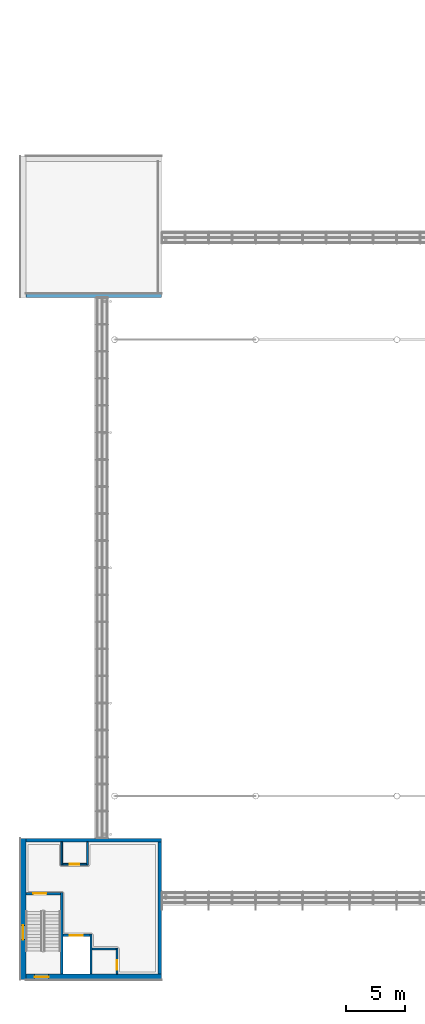
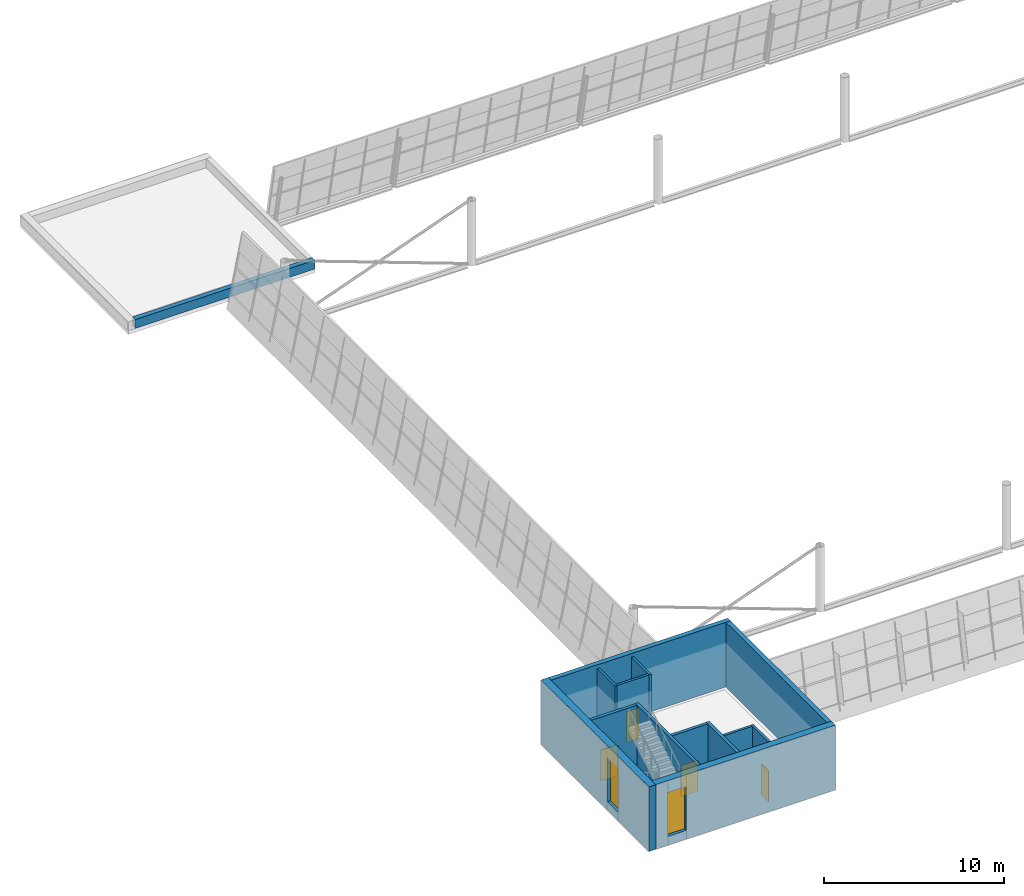
# One storey, part 29 of 50: 14 walls, 4 doors, 2 windows, 6 openings.
"""IFC4 building model written with IfcOpenShell, lengths in metres."""

from ifc_helpers import new_model, si_unit, direction, frame, frame_2d, origin, place, context, subcontext, project, spatial, rectangle, extrude, material, layer, layer_set, type_object, element, fill, save


model = new_model("IFC4")

# Units and contexts
model_context = context("Model", 3, precision=1e-05, world=origin(), true_north=direction((0.0, 1.0)))
body_context = subcontext(model_context, "Body", "Model", "MODEL_VIEW")
ifc_project = project(units=[si_unit("LENGTHUNIT", "METRE"), si_unit("AREAUNIT", "SQUARE_METRE"), si_unit("VOLUMEUNIT", "CUBIC_METRE"), si_unit("PLANEANGLEUNIT", "RADIAN"), si_unit("MASSUNIT", "GRAM", prefix="KILO")], contexts=[model_context])

# Site, building, storey
site_placement = place(None, origin())
site = spatial("IfcSite", under=ifc_project, at=site_placement, CompositionType="ELEMENT")
building_placement = place(site_placement, origin())
building = spatial("IfcBuilding", under=site, at=building_placement, Name="Windward Yard Aquatics Centre", CompositionType="ELEMENT")
storey_placement = place(building_placement, frame((0.0, 0.0, 18.199951171875)))
storey = spatial("IfcBuildingStorey", under=building, at=storey_placement, Name="L04", CompositionType="ELEMENT", Elevation=18.199951171875)

# Wall
ifc_material_1 = material(Name="Concrete C35/45", Category="concrete")
ifc_layer_1 = layer(ifc_material_1, 0.199951171875)
ifc_layer_set_1 = layer_set([ifc_layer_1], Name="H Enclosure Wall Concrete C35/45 200")
wall_type_1 = type_object("IfcWallType", Name="H Enclosure Wall Concrete C35/45 200", PredefinedType="SOLIDWALL", material=ifc_layer_set_1)
wall_1_placement = place(storey_placement, frame((55.5, 26.449951171875, 0.0), z_axis=(0.0, 0.0, 1.0), x_axis=(0.0, 1.0, 0.0)))
element("IfcWall", 1, at=wall_1_placement, inside=storey, type_object=wall_type_1, Name="L04 W1 enclosure wall SW", PredefinedType="SOLIDWALL", context=body_context, shape_type="SweptSolid", body=[
    extrude(rectangle(XDim=6.949951171875, YDim=0.199951171875, at=frame_2d((3.47509765625, 0.0))), origin(), (0.0, 0.0, 1.0), 4.400146484375),
])

# Wall, opening, door
wall_2_placement = place(storey_placement, frame((52.449951171875, 33.300048828125, 0.0), z_axis=(0.0, 0.0, 1.0), x_axis=(1.0, 0.0, 0.0)))
wall_2 = element("IfcWall", 2, at=wall_2_placement, inside=storey, type_object=wall_type_1, Name="L04 W2 enclosure wall SW", PredefinedType="SOLIDWALL", context=body_context, shape_type="SweptSolid", body=[
    extrude(rectangle(XDim=2.949951171875, YDim=0.199951171875, at=frame_2d((1.47509765625, 0.0))), origin(), (0.0, 0.0, 1.0), 4.400146484375),
])
opening_1_placement = place(wall_2_placement, frame((0.64990234375, 0.0, 0.0)))
opening_1 = element("IfcOpeningElement", 3, at=opening_1_placement, cuts=wall_2, Name="Opening H4001", PredefinedType="OPENING", context=body_context, shape_type="SweptSolid", body=[
    extrude(rectangle(XDim=1.10009765625, YDim=2.10009765625, at=frame_2d((0.550048828125, 1.050048828125))), frame((0.0, 0.10986328125, 0.0), z_axis=(0.0, -1.0, 0.0), x_axis=(1.0, 0.0, 0.0)), (0.0, 0.0, 1.0), 0.219970703125),
])
ifc_material_2 = material(Name="Steel and timber door leaf", Category="steel")
door_type_1 = type_object("IfcDoorType", Name="H Door Single 1100 x 2100 FD60", OperationType="NOTDEFINED", PredefinedType="DOOR", material=ifc_material_2)
door_1_placement = place(opening_1_placement, origin())
door_1 = element("IfcDoor", 4, at=door_1_placement, inside=storey, type_object=door_type_1, Name="L04 stair SW door", OperationType="SINGLE_SWING_LEFT", OverallHeight=2.10009765625, OverallWidth=1.10009765625, PredefinedType="DOOR", context=body_context, shape_type="SweptSolid", body=[
    extrude(rectangle(XDim=1.10009765625, YDim=2.10009765625, at=frame_2d((0.550048828125, 1.050048828125))), frame((0.0, 0.02490234375, 0.0), z_axis=(0.0, -1.0, 0.0), x_axis=(1.0, 0.0, 0.0)), (0.0, 0.0, 1.0), 0.050048828125),
])
fill(opening_1, door_1)

# Wall
wall_3_placement = place(storey_placement, frame((58.0, 26.449951171875, 0.0), z_axis=(0.0, 0.0, 1.0), x_axis=(0.0, 1.0, 0.0)))
element("IfcWall", 5, at=wall_3_placement, inside=storey, type_object=wall_type_1, Name="L04 W3 enclosure wall SW", PredefinedType="SOLIDWALL", context=body_context, shape_type="SweptSolid", body=[
    extrude(rectangle(XDim=3.400146484375, YDim=0.199951171875, at=frame_2d((1.7001953125, 0.0))), origin(), (0.0, 0.0, 1.0), 4.400146484375),
])

# Wall, opening, door
wall_4_placement = place(storey_placement, frame((55.60009765625, 29.75, 0.0), z_axis=(0.0, 0.0, 1.0), x_axis=(1.0, 0.0, 0.0)))
wall_4 = element("IfcWall", 6, at=wall_4_placement, inside=storey, type_object=wall_type_1, Name="L04 W4 enclosure wall SW", PredefinedType="SOLIDWALL", context=body_context, shape_type="SweptSolid", body=[
    extrude(rectangle(XDim=2.2998046875, YDim=0.199951171875, at=frame_2d((1.14990234375, 0.0))), origin(), (0.0, 0.0, 1.0), 4.400146484375),
])
opening_2_placement = place(wall_4_placement, frame((0.60009765625, 0.0, 0.0)))
opening_2 = element("IfcOpeningElement", 7, at=opening_2_placement, cuts=wall_4, Name="Opening H4002", PredefinedType="OPENING", context=body_context, shape_type="SweptSolid", body=[
    extrude(rectangle(XDim=1.10009765625, YDim=2.10009765625, at=frame_2d((0.550048828125, 1.050048828125))), frame((0.0, 0.10986328125, 0.0), z_axis=(0.0, -1.0, 0.0), x_axis=(1.0, 0.0, 0.0)), (0.0, 0.0, 1.0), 0.219970703125),
])
ifc_material_3 = material(Name="Stainless steel 1.4301", Category="steel")
door_type_2 = type_object("IfcDoorType", Name="H Lift Landing Door 1100 x 2100", OperationType="DOUBLE_DOOR_SLIDING", PredefinedType="DOOR", material=ifc_material_3)
door_2_placement = place(opening_2_placement, origin())
door_2 = element("IfcDoor", 8, at=door_2_placement, inside=storey, type_object=door_type_2, Name="Lift SW landing door L04", OperationType="DOUBLE_DOOR_SLIDING", OverallHeight=2.10009765625, OverallWidth=1.10009765625, PredefinedType="DOOR", context=body_context, shape_type="SweptSolid", body=[
    extrude(rectangle(XDim=1.10009765625, YDim=2.10009765625, at=frame_2d((0.550048828125, 1.050048828125))), frame((0.0, 0.02490234375, 0.0), z_axis=(0.0, -1.0, 0.0), x_axis=(1.0, 0.0, 0.0)), (0.0, 0.0, 1.0), 0.050048828125),
])
fill(opening_2, door_2)

# Wall
ifc_material_4 = material(Name="Blockwork 150 mm", Category="masonry")
ifc_layer_2 = layer(ifc_material_4, 0.14990234375)
ifc_layer_set_2 = layer_set([ifc_layer_2], Name="H Partition Blockwork 150")
wall_type_2 = type_object("IfcWallType", Name="H Partition Blockwork 150", PredefinedType="PARTITIONING", material=ifc_layer_set_2)
wall_5_placement = place(storey_placement, frame((58.10009765625, 28.60009765625, 0.0), z_axis=(0.0, 0.0, 1.0), x_axis=(1.0, 0.0, 0.0)))
element("IfcWall", 9, at=wall_5_placement, inside=storey, type_object=wall_type_2, Name="L04 R1N riser wall SW", PredefinedType="PARTITIONING", context=body_context, shape_type="SweptSolid", body=[
    extrude(rectangle(XDim=2.02490234375, YDim=0.14990234375, at=frame_2d((1.012451171875, 0.0))), origin(), (0.0, 0.0, 1.0), 4.150146484375),
])

# Wall, opening, door
wall_6_placement = place(storey_placement, frame((60.199951171875, 26.449951171875, 0.0), z_axis=(0.0, 0.0, 1.0), x_axis=(0.0, 1.0, 0.0)))
wall_6 = element("IfcWall", 10, at=wall_6_placement, inside=storey, type_object=wall_type_2, Name="L04 R1E riser wall SW", PredefinedType="PARTITIONING", context=body_context, shape_type="SweptSolid", body=[
    extrude(rectangle(XDim=2.22509765625, YDim=0.14990234375, at=frame_2d((1.112548828125, 0.0))), origin(), (0.0, 0.0, 1.0), 4.150146484375),
])
opening_3_placement = place(wall_6_placement, frame((0.39990234375, 0.0, 0.0)))
opening_3 = element("IfcOpeningElement", 11, at=opening_3_placement, cuts=wall_6, Name="Opening H4003", PredefinedType="OPENING", context=body_context, shape_type="SweptSolid", body=[
    extrude(rectangle(XDim=0.800048828125, YDim=2.10009765625, at=frame_2d((0.39990234375, 1.050048828125))), frame((0.0, 0.0849609375, 0.0), z_axis=(0.0, -1.0, 0.0), x_axis=(1.0, 0.0, 0.0)), (0.0, 0.0, 1.0), 0.169921875),
])
door_type_3 = type_object("IfcDoorType", Name="H Door Riser 800 x 2100 FD60", OperationType="NOTDEFINED", PredefinedType="DOOR", material=ifc_material_2)
door_3_placement = place(opening_3_placement, origin())
door_3 = element("IfcDoor", 12, at=door_3_placement, inside=storey, type_object=door_type_3, Name="L04 electrical riser SW door", OperationType="SINGLE_SWING_RIGHT", OverallHeight=2.10009765625, OverallWidth=0.800048828125, PredefinedType="DOOR", context=body_context, shape_type="SweptSolid", body=[
    extrude(rectangle(XDim=0.800048828125, YDim=2.10009765625, at=frame_2d((0.39990234375, 1.050048828125))), frame((0.0, 0.02490234375, 0.0), z_axis=(0.0, -1.0, 0.0), x_axis=(1.0, 0.0, 0.0)), (0.0, 0.0, 1.0), 0.050048828125),
])
fill(opening_3, door_3)

wall_7_placement = place(storey_placement, frame((55.574951171875, 35.800048828125, 0.0), z_axis=(0.0, 0.0, 1.0), x_axis=(1.0, 0.0, 0.0)))
wall_7 = element("IfcWall", 13, at=wall_7_placement, inside=storey, type_object=wall_type_2, Name="L04 R2S riser wall SW", PredefinedType="PARTITIONING", context=body_context, shape_type="SweptSolid", body=[
    extrude(rectangle(XDim=2.050048828125, YDim=0.14990234375, at=frame_2d((1.02490234375, 0.0))), origin(), (0.0, 0.0, 1.0), 4.150146484375),
])
opening_4_placement = place(wall_7_placement, frame((0.625, 0.0, 0.0)))
opening_4 = element("IfcOpeningElement", 14, at=opening_4_placement, cuts=wall_7, Name="Opening H4004", PredefinedType="OPENING", context=body_context, shape_type="SweptSolid", body=[
    extrude(rectangle(XDim=0.800048828125, YDim=2.10009765625, at=frame_2d((0.39990234375, 1.050048828125))), frame((0.0, 0.0849609375, 0.0), z_axis=(0.0, -1.0, 0.0), x_axis=(1.0, 0.0, 0.0)), (0.0, 0.0, 1.0), 0.169921875),
])
door_4_placement = place(opening_4_placement, origin())
door_4 = element("IfcDoor", 15, at=door_4_placement, inside=storey, type_object=door_type_3, Name="L04 communications riser SW door", OperationType="SINGLE_SWING_LEFT", OverallHeight=2.10009765625, OverallWidth=0.800048828125, PredefinedType="DOOR", context=body_context, shape_type="SweptSolid", body=[
    extrude(rectangle(XDim=0.800048828125, YDim=2.10009765625, at=frame_2d((0.39990234375, 1.050048828125))), frame((0.0, 0.02490234375, 0.0), z_axis=(0.0, -1.0, 0.0), x_axis=(1.0, 0.0, 0.0)), (0.0, 0.0, 1.0), 0.050048828125),
])
fill(opening_4, door_4)

# Walls
for number, where, z_axis, x_axis, name in (
    (16, (55.5, 35.72509765625, 0.0), (0.0, 0.0, 1.0), (0.0, 1.0, 0.0), "L04 R2W riser wall SW"),
    (17, (57.699951171875, 35.72509765625, 0.0), (0.0, 0.0, 1.0), (0.0, 1.0, 0.0), "L04 R2E riser wall SW"),
):
    element("IfcWall", number, at=place(storey_placement, frame(where, z_axis=z_axis, x_axis=x_axis)), inside=storey, type_object=wall_type_2, Name=name, PredefinedType="PARTITIONING", context=body_context, shape_type="SweptSolid", body=[
        extrude(rectangle(XDim=1.974853515625, YDim=0.14990234375, at=frame_2d((0.9873046875, 0.0))), origin(), (0.0, 0.0, 1.0), 4.150146484375),
    ])
ifc_layer_3 = layer(ifc_material_1, 0.300048828125)
ifc_layer_set_3 = layer_set([ifc_layer_3], Name="H core parapet 300 C35/45")
wall_type_3 = type_object("IfcWallType", Name="H core parapet 300 C35/45", PredefinedType="PARAPET", material=ifc_layer_set_3)
wall_8_placement = place(storey_placement, frame((52.449951171875, 84.14990234375, 0.25), z_axis=(0.0, 0.0, 1.0), x_axis=(1.0, 0.0, 0.0)))
element("IfcWall", 18, at=wall_8_placement, inside=storey, type_object=wall_type_3, Name="H.CP.NW.S", PredefinedType="PARAPET", context=body_context, shape_type="SweptSolid", body=[
    extrude(rectangle(XDim=11.550048828125, YDim=0.300048828125, at=frame_2d((5.77490234375, 0.0))), origin(), (0.0, 0.0, 1.0), 0.60009765625),
])

# Wall, opening, window
ifc_material_5 = material(Name="Natural stone cladding", Category="masonry")
ifc_layer_4 = layer(ifc_material_5, 0.04, Name="Cladding")
ifc_material_6 = material(Name="Ventilated air cavity")
ifc_layer_5 = layer(ifc_material_6, 0.05, ventilated=True, Name="Ventilated cavity")
ifc_material_7 = material(Name="Mineral wool insulation")
ifc_layer_6 = layer(ifc_material_7, 0.08, Name="Insulation")
ifc_layer_7 = layer(ifc_material_1, 0.28, Name="Structure")
ifc_layer_set_4 = layer_set([ifc_layer_4, ifc_layer_5, ifc_layer_6, ifc_layer_7], Name="H plinth wall stone faced 450 C35/45")
wall_type_4 = type_object("IfcWallType", Name="H plinth wall stone faced 450 C35/45", PredefinedType="ELEMENTEDWALL", material=ifc_layer_set_4)
wall_9_placement = place(storey_placement, frame((52.22509765625, 26.0, 0.0), z_axis=(0.0, 0.0, 1.0), x_axis=(0.0, 1.0, 0.0)))
wall_9 = element("IfcWall", 19, at=wall_9_placement, inside=storey, type_object=wall_type_4, Name="H.CW.SW.W.L04", PredefinedType="ELEMENTEDWALL", context=body_context, shape_type="SweptSolid", body=[
    extrude(rectangle(XDim=12.0, YDim=0.449951171875, at=frame_2d((6.0, 0.0))), origin(), (0.0, 0.0, 1.0), 4.400146484375),
])
opening_5_placement = place(wall_9_placement, frame((3.39990234375, 0.0, 0.60009765625)))
opening_5 = element("IfcOpeningElement", 20, at=opening_5_placement, cuts=wall_9, Name="Opening W4004", PredefinedType="OPENING", context=body_context, shape_type="SweptSolid", body=[
    extrude(rectangle(XDim=1.199951171875, YDim=3.0, at=frame_2d((0.60009765625, 1.5))), frame((0.0, 0.23486328125, 0.0), z_axis=(0.0, -1.0, 0.0), x_axis=(1.0, 0.0, 0.0)), (0.0, 0.0, 1.0), 0.469970703125),
])
ifc_material_8 = material(Name="Fire-resisting glazing in steel frame", Category="steel")
window_type = type_object("IfcWindowType", Name="H Core Stair Window 1200 x 3000 EI 60", PartitioningType="SINGLE_PANEL", PredefinedType="WINDOW", material=ifc_material_8)
window_1_placement = place(opening_5_placement, origin())
window_1 = element("IfcWindow", 21, at=window_1_placement, inside=storey, type_object=window_type, Name="L04 core SW stair window", OverallHeight=3.0, OverallWidth=1.199951171875, PartitioningType="SINGLE_PANEL", PredefinedType="WINDOW", context=body_context, shape_type="SweptSolid", body=[
    extrude(rectangle(XDim=1.199951171875, YDim=3.0, at=frame_2d((0.60009765625, 1.5))), frame((0.0, 0.030029296875, 0.0), z_axis=(0.0, -1.0, 0.0), x_axis=(1.0, 0.0, 0.0)), (0.0, 0.0, 1.0), 0.06005859375),
])
fill(opening_5, window_1)

wall_10_placement = place(storey_placement, frame((52.449951171875, 26.22509765625, 0.0), z_axis=(0.0, 0.0, 1.0), x_axis=(1.0, 0.0, 0.0)))
wall_10 = element("IfcWall", 22, at=wall_10_placement, inside=storey, type_object=wall_type_4, Name="H.CW.SW.S.L04", PredefinedType="ELEMENTEDWALL", context=body_context, shape_type="SweptSolid", body=[
    extrude(rectangle(XDim=11.550048828125, YDim=0.449951171875, at=frame_2d((5.77490234375, 0.0))), origin(), (0.0, 0.0, 1.0), 4.400146484375),
])
opening_6_placement = place(wall_10_placement, frame((0.75, 0.0, 0.60009765625)))
opening_6 = element("IfcOpeningElement", 23, at=opening_6_placement, cuts=wall_10, Name="Opening W4005", PredefinedType="OPENING", context=body_context, shape_type="SweptSolid", body=[
    extrude(rectangle(XDim=1.199951171875, YDim=3.0, at=frame_2d((0.60009765625, 1.5))), frame((0.0, 0.23486328125, 0.0), z_axis=(0.0, -1.0, 0.0), x_axis=(1.0, 0.0, 0.0)), (0.0, 0.0, 1.0), 0.469970703125),
])
window_2_placement = place(opening_6_placement, origin())
window_2 = element("IfcWindow", 24, at=window_2_placement, inside=storey, type_object=window_type, Name="L04 core SW stair window", OverallHeight=3.0, OverallWidth=1.199951171875, PartitioningType="SINGLE_PANEL", PredefinedType="WINDOW", context=body_context, shape_type="SweptSolid", body=[
    extrude(rectangle(XDim=1.199951171875, YDim=3.0, at=frame_2d((0.60009765625, 1.5))), frame((0.0, 0.030029296875, 0.0), z_axis=(0.0, -1.0, 0.0), x_axis=(1.0, 0.0, 0.0)), (0.0, 0.0, 1.0), 0.06005859375),
])
fill(opening_6, window_2)

# Walls
ifc_layer_8 = layer(ifc_material_1, 0.300048828125)
ifc_layer_set_5 = layer_set([ifc_layer_8], Name="H rear wall 300 C35/45")
wall_type_5 = type_object("IfcWallType", Name="H rear wall 300 C35/45", PredefinedType="SOLIDWALL", material=ifc_layer_set_5)
wall_11_placement = place(storey_placement, frame((63.85009765625, 26.449951171875, 0.0), z_axis=(0.0, 0.0, 1.0), x_axis=(0.0, 1.0, 0.0)))
element("IfcWall", 25, at=wall_11_placement, inside=storey, type_object=wall_type_5, Name="H.CW.SW.E.L04", PredefinedType="SOLIDWALL", context=body_context, shape_type="SweptSolid", body=[
    extrude(rectangle(XDim=11.25, YDim=0.300048828125, at=frame_2d((5.625, 0.0))), origin(), (0.0, 0.0, 1.0), 4.400146484375),
])
wall_12_placement = place(storey_placement, frame((52.449951171875, 37.85009765625, 0.0), z_axis=(0.0, 0.0, 1.0), x_axis=(1.0, 0.0, 0.0)))
element("IfcWall", 26, at=wall_12_placement, inside=storey, type_object=wall_type_5, Name="H.CW.SW.N.L04", PredefinedType="SOLIDWALL", context=body_context, shape_type="SweptSolid", body=[
    extrude(rectangle(XDim=11.550048828125, YDim=0.300048828125, at=frame_2d((5.77490234375, 0.0))), origin(), (0.0, 0.0, 1.0), 4.400146484375),
])

save(model, "model.ifc")
